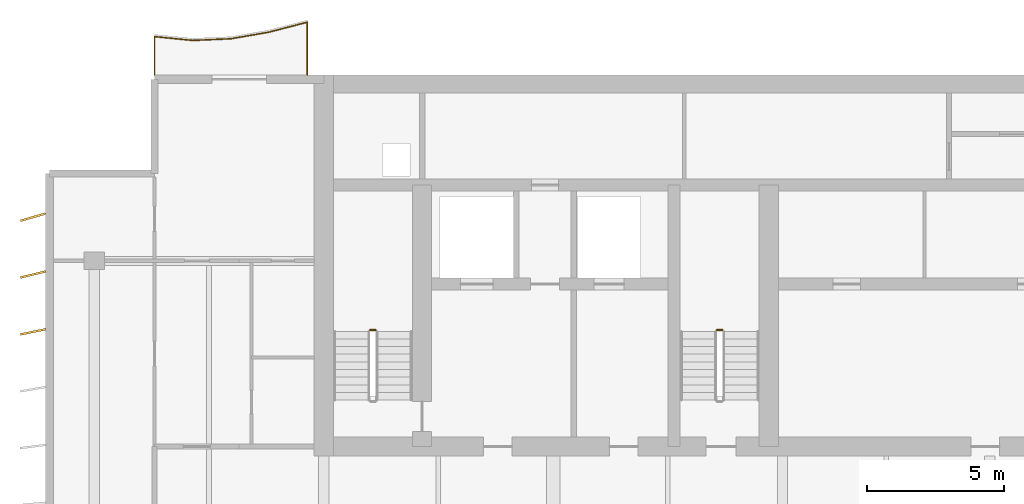
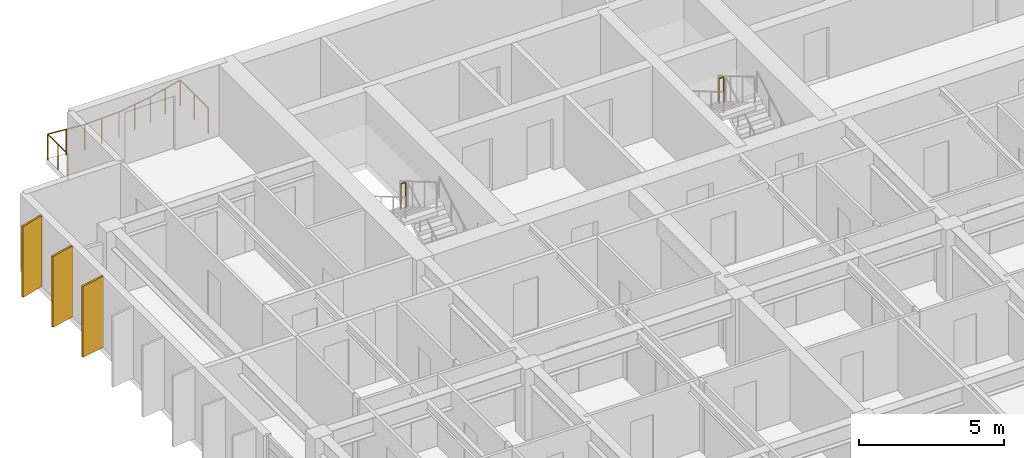
# One storey, part 15 of 16: 3 railings, 3 shading devices.
"""IFC4 building model written with IfcOpenShell, lengths in metres."""

from ifc_helpers import new_model, si_unit, direction, frame, origin, origin_2d, place, context, subcontext, project, spatial, rectangle, circle, extrude, material, material_profile, profile_set, type_object, element, save


model = new_model("IFC4")

# Units and contexts
model_context = context("Model", 3, precision=1e-05, world=origin(), true_north=direction((0.0, 1.0)))
body_context = subcontext(model_context, "Body", "Model", "MODEL_VIEW")
ifc_project = project(units=[si_unit("LENGTHUNIT", "METRE"), si_unit("AREAUNIT", "SQUARE_METRE"), si_unit("VOLUMEUNIT", "CUBIC_METRE"), si_unit("PLANEANGLEUNIT", "RADIAN"), si_unit("MASSUNIT", "GRAM", prefix="KILO")], contexts=[model_context])

# Site, building, storey
site_placement = place(None, origin())
site = spatial("IfcSite", under=ifc_project, at=site_placement, CompositionType="ELEMENT")
building_placement = place(site_placement, origin())
building = spatial("IfcBuilding", under=site, at=building_placement, Name="Caelmar Bay Residences", CompositionType="ELEMENT")
storey_placement = place(building_placement, frame((0.0, 0.0, 266.10009765625)))
storey = spatial("IfcBuildingStorey", under=building, at=storey_placement, Name="L75", CompositionType="ELEMENT", Elevation=266.10009765625)

# Railings
ifc_material_1 = material(Name="Anodised bronze handrail with laminated hurricane glass infill", Category="glass")
railing_type_1 = type_object("IfcRailingType", Name="RL-BAL-1100", PredefinedType="BALUSTRADE", material=ifc_material_1)
railing_placement = place(storey_placement, frame((17.699951171875, 50.60009765625, 0.0)))
element("IfcRailing", 1, at=railing_placement, inside=storey, type_object=railing_type_1, Name="L75 north_west Balcony Balustrade", PredefinedType="BALUSTRADE", context=body_context, shape_type="SweptSolid", body=[
    extrude(circle(Radius=0.02392578125, at=origin_2d()), frame((0.0, 0.0, 1.076171875), z_axis=(0.0, 1.0, 0.0), x_axis=(-1.0, 0.0, 0.0)), (0.0, 0.0, 1.0), 1.94140625),
    extrude(circle(Radius=0.02392578125, at=origin_2d()), frame((0.0, 1.94140625, 1.076171875), z_axis=(-0.968103147298, -0.250551983012, 0.0), x_axis=(0.250551983012, -0.968103147298, 0.0)), (0.0, 0.0, 1.0), 1.446044921875),
    extrude(circle(Radius=0.02392578125, at=origin_2d()), frame((-1.39990234375, 1.5791015625, 1.076171875), z_axis=(-0.985106932591, -0.171942814215, 0.0), x_axis=(0.171942814215, -0.985106932591, 0.0)), (0.0, 0.0, 1.0), 1.42138671875),
    extrude(circle(Radius=0.02392578125, at=origin_2d()), frame((-2.800048828125, 1.334716796875, 1.076171875), z_axis=(-0.999058458158, -0.043384296491, 0.0), x_axis=(0.043384296491, -0.999058458158, 0.0)), (0.0, 0.0, 1.0), 1.401123046875),
    extrude(circle(Radius=0.02392578125, at=origin_2d()), frame((-4.199951171875, 1.27392578125, 1.076171875), z_axis=(-0.99509543912, 0.098919497785, 0.0), x_axis=(-0.098919497785, -0.99509543912, 0.0)), (0.0, 0.0, 1.0), 1.40673828125),
    extrude(circle(Radius=0.02392578125, at=origin_2d()), frame((-5.599853515625, 1.4130859375, 1.076171875), z_axis=(0.0, -1.0, 0.0), x_axis=(1.0, 0.0, 0.0)), (0.0, 0.0, 1.0), 1.4130859375),
    extrude(circle(Radius=0.02099609375, at=origin_2d()), origin(), (0.0, 0.0, 1.0), 1.052001953125),
    extrude(circle(Radius=0.02099609375, at=origin_2d()), frame((0.0, 0.970703125, 0.0)), (0.0, 0.0, 1.0), 1.052001953125),
    extrude(circle(Radius=0.02099609375, at=origin_2d()), frame((0.0, 1.94140625, 0.0)), (0.0, 0.0, 1.0), 1.052001953125),
    extrude(circle(Radius=0.02099609375, at=origin_2d()), frame((-0.699951171875, 1.76025390625, 0.0)), (0.0, 0.0, 1.0), 1.052001953125),
    extrude(circle(Radius=0.02099609375, at=origin_2d()), frame((-1.39990234375, 1.5791015625, 0.0)), (0.0, 0.0, 1.0), 1.052001953125),
    extrude(circle(Radius=0.02099609375, at=origin_2d()), frame((-2.10009765625, 1.45703125, 0.0)), (0.0, 0.0, 1.0), 1.052001953125),
    extrude(circle(Radius=0.02099609375, at=origin_2d()), frame((-2.800048828125, 1.334716796875, 0.0)), (0.0, 0.0, 1.0), 1.052001953125),
    extrude(circle(Radius=0.02099609375, at=origin_2d()), frame((-3.5, 1.30419921875, 0.0)), (0.0, 0.0, 1.0), 1.052001953125),
    extrude(circle(Radius=0.02099609375, at=origin_2d()), frame((-4.199951171875, 1.27392578125, 0.0)), (0.0, 0.0, 1.0), 1.052001953125),
    extrude(circle(Radius=0.02099609375, at=origin_2d()), frame((-4.89990234375, 1.343505859375, 0.0)), (0.0, 0.0, 1.0), 1.052001953125),
    extrude(circle(Radius=0.02099609375, at=origin_2d()), frame((-5.599853515625, 1.4130859375, 0.0)), (0.0, 0.0, 1.0), 1.052001953125),
    extrude(circle(Radius=0.02099609375, at=origin_2d()), frame((-5.599853515625, 0.70654296875, 0.0)), (0.0, 0.0, 1.0), 1.052001953125),
    extrude(circle(Radius=0.02099609375, at=origin_2d()), frame((-5.599853515625, 0.0, 0.0)), (0.0, 0.0, 1.0), 1.052001953125),
])
ifc_material_2 = material(Name="Painted galvanized steel stair guard 1100 mm", Category="steel")
railing_type_2 = type_object("IfcRailingType", Name="RL-GRD-1100", PredefinedType="GUARDRAIL", material=ifc_material_2)
for number, where, name in (
    (2, (20.199951171875, 41.27001953125, 1.64990234375), "L75 ST1 stair guard 2"),
    (3, (32.89990234375, 41.27001953125, 1.64990234375), "L75 ST3 stair guard 2"),
):
    element("IfcRailing", number, at=place(storey_placement, frame(where)), inside=storey, type_object=railing_type_2, Name=name, PredefinedType="GUARDRAIL", context=body_context, shape_type="SweptSolid", body=[
        extrude(circle(Radius=0.02392578125, at=origin_2d()), frame((0.0, 0.0, 1.076171875), z_axis=(-1.0, 0.0, 0.0), x_axis=(0.0, -1.0, 0.0)), (0.0, 0.0, 1.0), 0.199951171875),
        extrude(circle(Radius=0.02099609375, at=origin_2d()), origin(), (0.0, 0.0, 1.0), 1.052001953125),
        extrude(circle(Radius=0.02099609375, at=origin_2d()), frame((-0.199951171875, 0.0, 0.0)), (0.0, 0.0, 1.0), 1.052001953125),
    ])

# Shading devices
ifc_material_3 = material(Name="Anodised architectural bronze aluminium 6063-T6", Category="aluminium")
ifc_material_profile = material_profile(ifc_material_3, rectangle(XDim=0.074951171875, YDim=0.949951171875, at=origin_2d()), Name="BRONZE-FIN-75X950")
ifc_profile_set = profile_set([ifc_material_profile], Name="Anodised architectural bronze aluminium 6063-T6")
shading_device_type = type_object("IfcShadingDeviceType", Name="SHD-FIN-950", PredefinedType="USERDEFINED", material=ifc_profile_set)
for number, where, z_axis, x_axis, name in (
    (4, (7.64990234375, 41.199951171875, 0.0), (0.0, 0.0, 1.0), (-0.2032999874, 0.979116497217, 0.0), "L75 West Bronze Solar Fin 14"),
    (5, (7.64990234375, 43.300048828125, 0.0), (0.0, 0.0, 1.0), (-0.239719743609, 0.970842131618, 0.0), "L75 West Bronze Solar Fin 15"),
    (6, (7.64990234375, 45.39990234375, 0.0), (0.0, 0.0, 1.0), (-0.275637355817, 0.961261695938, 0.0), "L75 West Bronze Solar Fin 16"),
):
    element("IfcShadingDevice", number, at=place(storey_placement, frame(where, z_axis=z_axis, x_axis=x_axis)), inside=storey, type_object=shading_device_type, Name=name, ObjectType="FIN", PredefinedType="USERDEFINED", context=body_context, shape_type="SweptSolid", body=[
        extrude(rectangle(XDim=0.074951171875, YDim=0.949951171875, at=origin_2d()), origin(), (0.0, 0.0, 1.0), 3.0),
    ])

save(model, "model.ifc")
